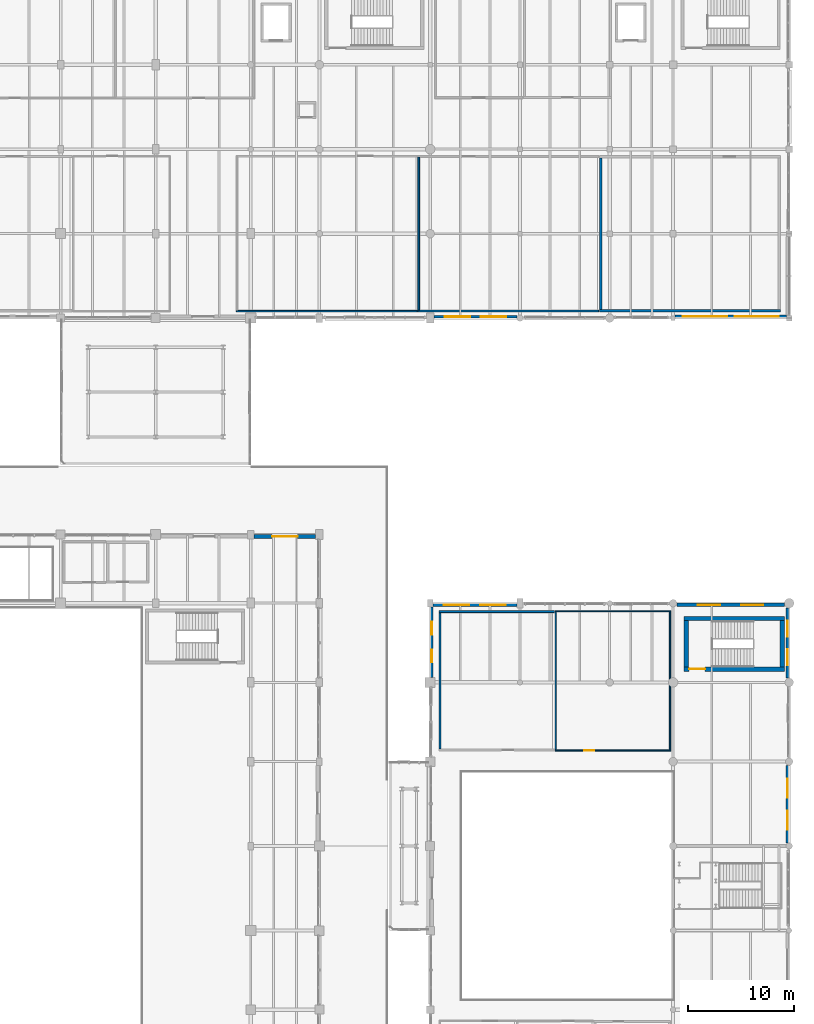
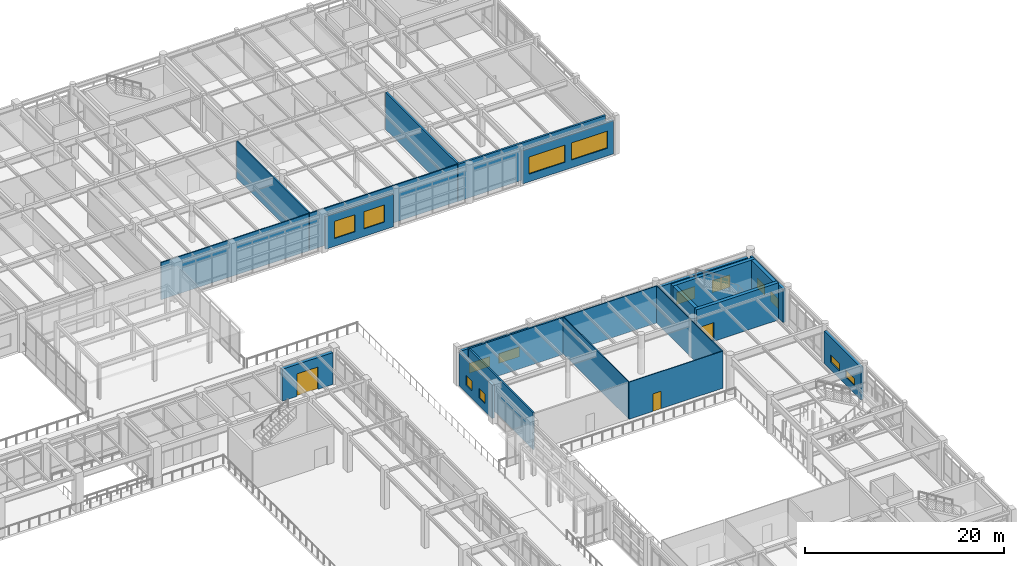
# One storey, part 180 of 200: 23 walls, 14 windows, 3 doors, 17 openings.
"""IFC4 building model written with IfcOpenShell, lengths in metres."""

from ifc_helpers import new_model, si_unit, direction, frame, frame_2d, origin, place, context, subcontext, project, spatial, rectangle, extrude, material, layer, layer_set, type_object, element, fill, save


model = new_model("IFC4")

# Units and contexts
model_context = context("Model", 3, precision=1e-05, world=origin(), true_north=direction((0.0, 1.0)))
body_context = subcontext(model_context, "Body", "Model", "MODEL_VIEW")
ifc_project = project(units=[si_unit("LENGTHUNIT", "METRE"), si_unit("AREAUNIT", "SQUARE_METRE"), si_unit("VOLUMEUNIT", "CUBIC_METRE"), si_unit("PLANEANGLEUNIT", "RADIAN"), si_unit("MASSUNIT", "GRAM", prefix="KILO"), si_unit("THERMODYNAMICTEMPERATUREUNIT", "KELVIN"), si_unit("POWERUNIT", "WATT")], contexts=[model_context])

# Site, building, storey
site_placement = place(None, origin())
site = spatial("IfcSite", under=ifc_project, at=site_placement, CompositionType="ELEMENT")
building_placement = place(site_placement, origin())
building = spatial("IfcBuilding", under=site, at=building_placement, Name="Tepalcoro Natatorium and Aquatics Centre", CompositionType="ELEMENT")
storey_placement = place(building_placement, frame((0.0, 0.0, 5.39990234375)))
storey = spatial("IfcBuildingStorey", under=building, at=storey_placement, Name="L01", CompositionType="ELEMENT", Elevation=5.39990234375)

# Wall, openings, windows
ifc_material_1 = material(Name="Precast Concrete C45/55 (fc 45 MPa)", Category="concrete")
ifc_layer_1 = layer(ifc_material_1, 0.260009765625)
ifc_layer_set_1 = layer_set([ifc_layer_1], Name="Precast Concrete C45/55 (fc 45 MPa)")
wall_type_1 = type_object("IfcWallType", Name="WL_EXT_GABLE_260", PredefinedType="SOLIDWALL", material=ifc_layer_set_1)
wall_1_placement = place(storey_placement, frame((142.35400390625, 86.1298828125, 0.0), z_axis=(0.0, 0.0, 1.0), x_axis=(1.0, 0.0, 0.0)))
wall_1 = element("IfcWall", 1, at=wall_1_placement, inside=storey, type_object=wall_type_1, Name="V5 L01 S Volcanic Basalt Envelope Wall", PredefinedType="SOLIDWALL", context=body_context, shape_type="SweptSolid", body=[
    extrude(rectangle(XDim=7.842041015625, YDim=0.260009765625, at=frame_2d((3.9208984375, 0.0))), origin(), (0.0, 0.0, 1.0), 3.994140625),
])
opening_1_placement = place(wall_1_placement, frame((1.013916015625, 0.0, 0.949951171875)))
opening_1 = element("IfcOpeningElement", 2, at=opening_1_placement, cuts=wall_1, Name="Opening W0089A", PredefinedType="OPENING", context=body_context, shape_type="SweptSolid", body=[
    extrude(rectangle(XDim=2.39990234375, YDim=2.10009765625, at=frame_2d((1.199951171875, 1.050048828125))), frame((0.0, 0.14208984375, 0.0), z_axis=(0.0, -1.0, 0.0), x_axis=(1.0, 0.0, 0.0)), (0.0, 0.0, 1.0), 0.283935546875),
])
opening_2_placement = place(wall_1_placement, frame((4.427978515625, 0.0, 0.949951171875)))
opening_2 = element("IfcOpeningElement", 3, at=opening_2_placement, cuts=wall_1, Name="Opening W0089B", PredefinedType="OPENING", context=body_context, shape_type="SweptSolid", body=[
    extrude(rectangle(XDim=2.39990234375, YDim=2.10009765625, at=frame_2d((1.199951171875, 1.050048828125))), frame((0.0, 0.14208984375, 0.0), z_axis=(0.0, -1.0, 0.0), x_axis=(1.0, 0.0, 0.0)), (0.0, 0.0, 1.0), 0.283935546875),
])
ifc_material_2 = material(Name="Solar-Control Bronze Tempered Low-E Double Glazing", Category="glass")
window_type_1 = type_object("IfcWindowType", Name="WN_240x210", PartitioningType="SINGLE_PANEL", PredefinedType="WINDOW", material=ifc_material_2)
window_1_placement = place(opening_1_placement, origin())
window_1 = element("IfcWindow", 4, at=window_1_placement, inside=storey, type_object=window_type_1, Name="Exterior Thermal Window WN_240x210", OverallHeight=2.10009765625, OverallWidth=2.39990234375, PartitioningType="SINGLE_PANEL", PredefinedType="WINDOW", context=body_context, shape_type="SweptSolid", body=[
    extrude(rectangle(XDim=2.39990234375, YDim=2.10009765625, at=frame_2d((1.199951171875, 1.050048828125))), frame((0.0, 0.030029296875, 0.0), z_axis=(0.0, -1.0, 0.0), x_axis=(1.0, 0.0, 0.0)), (0.0, 0.0, 1.0), 0.06005859375),
])
fill(opening_1, window_1)
window_2_placement = place(opening_2_placement, origin())
window_2 = element("IfcWindow", 5, at=window_2_placement, inside=storey, type_object=window_type_1, Name="Exterior Thermal Window WN_240x210", OverallHeight=2.10009765625, OverallWidth=2.39990234375, PartitioningType="SINGLE_PANEL", PredefinedType="WINDOW", context=body_context, shape_type="SweptSolid", body=[
    extrude(rectangle(XDim=2.39990234375, YDim=2.10009765625, at=frame_2d((1.199951171875, 1.050048828125))), frame((0.0, 0.030029296875, 0.0), z_axis=(0.0, -1.0, 0.0), x_axis=(1.0, 0.0, 0.0)), (0.0, 0.0, 1.0), 0.06005859375),
])
fill(opening_2, window_2)

ifc_layer_2 = layer(ifc_material_1, 0.284912109375)
ifc_layer_set_2 = layer_set([ifc_layer_2], Name="Precast Concrete C45/55 (fc 45 MPa)")
wall_type_2 = type_object("IfcWallType", Name="WL_EXT_INSUL_280", PredefinedType="SOLIDWALL", material=ifc_layer_set_2)
wall_2_placement = place(storey_placement, frame((142.142578125, 51.97900390625, 0.0), z_axis=(0.0, 0.0, 1.0), x_axis=(0.0, 1.0, 0.0)))
wall_2 = element("IfcWall", 6, at=wall_2_placement, inside=storey, type_object=wall_type_2, Name="V2 L01 W Volcanic Basalt Envelope Wall", PredefinedType="SOLIDWALL", context=body_context, shape_type="SweptSolid", body=[
    extrude(rectangle(XDim=6.6669921875, YDim=0.284912109375, at=frame_2d((3.33349609375, 0.0))), origin(), (0.0, 0.0, 1.0), 4.1171875),
])
opening_3_placement = place(wall_2_placement, frame((1.42236328125, 0.0, 0.949951171875)))
opening_3 = element("IfcOpeningElement", 7, at=opening_3_placement, cuts=wall_2, Name="Opening W0031A", PredefinedType="OPENING", context=body_context, shape_type="SweptSolid", body=[
    extrude(rectangle(XDim=1.199951171875, YDim=1.199951171875, at=frame_2d((0.60009765625, 0.60009765625))), frame((0.0, 0.154296875, 0.0), z_axis=(0.0, -1.0, 0.0), x_axis=(1.0, 0.0, 0.0)), (0.0, 0.0, 1.0), 0.308837890625),
])
opening_4_placement = place(wall_2_placement, frame((4.044677734375, 0.0, 0.949951171875)))
opening_4 = element("IfcOpeningElement", 8, at=opening_4_placement, cuts=wall_2, Name="Opening W0031B", PredefinedType="OPENING", context=body_context, shape_type="SweptSolid", body=[
    extrude(rectangle(XDim=1.199951171875, YDim=1.199951171875, at=frame_2d((0.60009765625, 0.60009765625))), frame((0.0, 0.154296875, 0.0), z_axis=(0.0, -1.0, 0.0), x_axis=(1.0, 0.0, 0.0)), (0.0, 0.0, 1.0), 0.308837890625),
])
window_type_2 = type_object("IfcWindowType", Name="WN_120x120", PartitioningType="SINGLE_PANEL", PredefinedType="WINDOW", material=ifc_material_2)
window_3_placement = place(opening_3_placement, origin())
window_3 = element("IfcWindow", 9, at=window_3_placement, inside=storey, type_object=window_type_2, Name="Exterior Thermal Window WN_120x120", OverallHeight=1.199951171875, OverallWidth=1.199951171875, PartitioningType="SINGLE_PANEL", PredefinedType="WINDOW", context=body_context, shape_type="SweptSolid", body=[
    extrude(rectangle(XDim=1.199951171875, YDim=1.199951171875, at=frame_2d((0.60009765625, 0.60009765625))), frame((0.0, 0.030029296875, 0.0), z_axis=(0.0, -1.0, 0.0), x_axis=(1.0, 0.0, 0.0)), (0.0, 0.0, 1.0), 0.06005859375),
])
fill(opening_3, window_3)
window_4_placement = place(opening_4_placement, origin())
window_4 = element("IfcWindow", 10, at=window_4_placement, inside=storey, type_object=window_type_2, Name="Exterior Thermal Window WN_120x120", OverallHeight=1.199951171875, OverallWidth=1.199951171875, PartitioningType="SINGLE_PANEL", PredefinedType="WINDOW", context=body_context, shape_type="SweptSolid", body=[
    extrude(rectangle(XDim=1.199951171875, YDim=1.199951171875, at=frame_2d((0.60009765625, 0.60009765625))), frame((0.0, 0.030029296875, 0.0), z_axis=(0.0, -1.0, 0.0), x_axis=(1.0, 0.0, 0.0)), (0.0, 0.0, 1.0), 0.06005859375),
])
fill(opening_4, window_4)

wall_3_placement = place(storey_placement, frame((165.2041015625, 86.142578125, 0.0), z_axis=(0.0, 0.0, 1.0), x_axis=(1.0, 0.0, 0.0)))
wall_3 = element("IfcWall", 11, at=wall_3_placement, inside=storey, type_object=wall_type_2, Name="V5 L01 S Volcanic Basalt Envelope Wall", PredefinedType="SOLIDWALL", context=body_context, shape_type="SweptSolid", body=[
    extrude(rectangle(XDim=10.5419921875, YDim=0.284912109375, at=frame_2d((5.27099609375, 0.0))), origin(), (0.0, 0.0, 1.0), 4.070068359375),
])
opening_5_placement = place(wall_3_placement, frame((0.714111328125, 0.0, 0.949951171875)))
opening_5 = element("IfcOpeningElement", 12, at=opening_5_placement, cuts=wall_3, Name="Opening W0090A", PredefinedType="OPENING", context=body_context, shape_type="SweptSolid", body=[
    extrude(rectangle(XDim=4.199951171875, YDim=2.10009765625, at=frame_2d((2.10009765625, 1.050048828125))), frame((0.0, 0.154296875, 0.0), z_axis=(0.0, -1.0, 0.0), x_axis=(1.0, 0.0, 0.0)), (0.0, 0.0, 1.0), 0.308837890625),
])
opening_6_placement = place(wall_3_placement, frame((5.6279296875, 0.0, 0.949951171875)))
opening_6 = element("IfcOpeningElement", 13, at=opening_6_placement, cuts=wall_3, Name="Opening W0090B", PredefinedType="OPENING", context=body_context, shape_type="SweptSolid", body=[
    extrude(rectangle(XDim=4.199951171875, YDim=2.10009765625, at=frame_2d((2.10009765625, 1.050048828125))), frame((0.0, 0.154296875, 0.0), z_axis=(0.0, -1.0, 0.0), x_axis=(1.0, 0.0, 0.0)), (0.0, 0.0, 1.0), 0.308837890625),
])
window_type_3 = type_object("IfcWindowType", Name="WN_420x210", PartitioningType="SINGLE_PANEL", PredefinedType="WINDOW", material=ifc_material_2)
window_5_placement = place(opening_5_placement, origin())
window_5 = element("IfcWindow", 14, at=window_5_placement, inside=storey, type_object=window_type_3, Name="Exterior Thermal Window WN_420x210", OverallHeight=2.10009765625, OverallWidth=4.199951171875, PartitioningType="SINGLE_PANEL", PredefinedType="WINDOW", context=body_context, shape_type="SweptSolid", body=[
    extrude(rectangle(XDim=4.199951171875, YDim=2.10009765625, at=frame_2d((2.10009765625, 1.050048828125))), frame((0.0, 0.030029296875, 0.0), z_axis=(0.0, -1.0, 0.0), x_axis=(1.0, 0.0, 0.0)), (0.0, 0.0, 1.0), 0.06005859375),
])
fill(opening_5, window_5)
window_6_placement = place(opening_6_placement, origin())
window_6 = element("IfcWindow", 15, at=window_6_placement, inside=storey, type_object=window_type_3, Name="Exterior Thermal Window WN_420x210", OverallHeight=2.10009765625, OverallWidth=4.199951171875, PartitioningType="SINGLE_PANEL", PredefinedType="WINDOW", context=body_context, shape_type="SweptSolid", body=[
    extrude(rectangle(XDim=4.199951171875, YDim=2.10009765625, at=frame_2d((2.10009765625, 1.050048828125))), frame((0.0, 0.030029296875, 0.0), z_axis=(0.0, -1.0, 0.0), x_axis=(1.0, 0.0, 0.0)), (0.0, 0.0, 1.0), 0.06005859375),
])
fill(opening_6, window_6)

ifc_material_3 = material(Name="Jalisco Cantera Rosa Volcanic Tuff Ashlar Masonry", Category="masonry")
ifc_layer_3 = layer(ifc_material_3, 0.320068359375)
ifc_layer_set_3 = layer_set([ifc_layer_3], Name="Jalisco Cantera Rosa Volcanic Tuff Ashlar Masonry")
wall_type_3 = type_object("IfcWallType", Name="WL_EXT_STONE_320", PredefinedType="SOLIDWALL", material=ifc_layer_set_3)
wall_4_placement = place(storey_placement, frame((165.35400390625, 58.840087890625, 0.0), z_axis=(0.0, 0.0, 1.0), x_axis=(1.0, 0.0, 0.0)))
wall_4 = element("IfcWall", 16, at=wall_4_placement, inside=storey, type_object=wall_type_3, Name="V2 L01 N Volcanic Basalt Envelope Wall", PredefinedType="SOLIDWALL", context=body_context, shape_type="SweptSolid", body=[
    extrude(rectangle(XDim=10.19189453125, YDim=0.320068359375, at=frame_2d((5.095947265625, 0.0))), origin(), (0.0, 0.0, 1.0), 3.918212890625),
])
opening_7_placement = place(wall_4_placement, frame((1.997314453125, 0.0, 0.949951171875)))
opening_7 = element("IfcOpeningElement", 17, at=opening_7_placement, cuts=wall_4, Name="Opening W0029A", PredefinedType="OPENING", context=body_context, shape_type="SweptSolid", body=[
    extrude(rectangle(XDim=2.10009765625, YDim=1.5, at=frame_2d((1.050048828125, 0.75))), frame((0.0, 0.171875, 0.0), z_axis=(0.0, -1.0, 0.0), x_axis=(1.0, 0.0, 0.0)), (0.0, 0.0, 1.0), 0.343994140625),
])
opening_8_placement = place(wall_4_placement, frame((6.0947265625, 0.0, 0.949951171875)))
opening_8 = element("IfcOpeningElement", 18, at=opening_8_placement, cuts=wall_4, Name="Opening W0029B", PredefinedType="OPENING", context=body_context, shape_type="SweptSolid", body=[
    extrude(rectangle(XDim=2.10009765625, YDim=1.5, at=frame_2d((1.050048828125, 0.75))), frame((0.0, 0.171875, 0.0), z_axis=(0.0, -1.0, 0.0), x_axis=(1.0, 0.0, 0.0)), (0.0, 0.0, 1.0), 0.343994140625),
])
window_type_4 = type_object("IfcWindowType", Name="WN_210x150", PartitioningType="SINGLE_PANEL", PredefinedType="WINDOW", material=ifc_material_2)
window_7_placement = place(opening_7_placement, origin())
window_7 = element("IfcWindow", 19, at=window_7_placement, inside=storey, type_object=window_type_4, Name="Exterior Thermal Window WN_210x150", OverallHeight=1.5, OverallWidth=2.10009765625, PartitioningType="SINGLE_PANEL", PredefinedType="WINDOW", context=body_context, shape_type="SweptSolid", body=[
    extrude(rectangle(XDim=2.10009765625, YDim=1.5, at=frame_2d((1.050048828125, 0.75))), frame((0.0, 0.030029296875, 0.0), z_axis=(0.0, -1.0, 0.0), x_axis=(1.0, 0.0, 0.0)), (0.0, 0.0, 1.0), 0.06005859375),
])
fill(opening_7, window_7)
window_8_placement = place(opening_8_placement, origin())
window_8 = element("IfcWindow", 20, at=window_8_placement, inside=storey, type_object=window_type_4, Name="Exterior Thermal Window WN_210x150", OverallHeight=1.5, OverallWidth=2.10009765625, PartitioningType="SINGLE_PANEL", PredefinedType="WINDOW", context=body_context, shape_type="SweptSolid", body=[
    extrude(rectangle(XDim=2.10009765625, YDim=1.5, at=frame_2d((1.050048828125, 0.75))), frame((0.0, 0.030029296875, 0.0), z_axis=(0.0, -1.0, 0.0), x_axis=(1.0, 0.0, 0.0)), (0.0, 0.0, 1.0), 0.06005859375),
])
fill(opening_8, window_8)

# Wall, opening, door
ifc_material_4 = material(Name="Volcanic Recinto Basalt Ashlar Masonry", Category="masonry")
ifc_layer_4 = layer(ifc_material_4, 0.360107421875)
ifc_layer_set_4 = layer_set([ifc_layer_4], Name="Volcanic Recinto Basalt Ashlar Masonry")
wall_type_4 = type_object("IfcWallType", Name="WL_EXT_STONE_350", PredefinedType="SOLIDWALL", material=ifc_layer_set_4)
wall_5_placement = place(storey_placement, frame((125.303955078125, 65.320068359375, 0.0), z_axis=(0.0, 0.0, 1.0), x_axis=(1.0, 0.0, 0.0)))
wall_5 = element("IfcWall", 21, at=wall_5_placement, inside=storey, type_object=wall_type_4, Name="V1 L01 N Volcanic Basalt Envelope Wall", PredefinedType="SOLIDWALL", context=body_context, shape_type="SweptSolid", body=[
    extrude(rectangle(XDim=5.842041015625, YDim=0.360107421875, at=frame_2d((2.9208984375, 0.0))), origin(), (0.0, 0.0, 1.0), 3.9140625),
])
opening_9_placement = place(wall_5_placement, frame((1.7109375, 0.0, 0.0)))
opening_9 = element("IfcOpeningElement", 22, at=opening_9_placement, cuts=wall_5, Name="Opening ED5014", PredefinedType="OPENING", context=body_context, shape_type="SweptSolid", body=[
    extrude(rectangle(XDim=2.419921875, YDim=2.75, at=frame_2d((1.2099609375, 1.375))), frame((0.0, 0.19189453125, 0.0), z_axis=(0.0, -1.0, 0.0), x_axis=(1.0, 0.0, 0.0)), (0.0, 0.0, 1.0), 0.384033203125),
])
ifc_material_5 = material(Name="Bronze-Anodised Extruded Aluminium Alloy EN AW-6063 T6", Category="aluminium")
door_type_1 = type_object("IfcDoorType", Name="DR_260x280_SLIDE", OperationType="NOTDEFINED", PredefinedType="DOOR", material=ifc_material_5)
door_1_placement = place(opening_9_placement, origin())
door_1 = element("IfcDoor", 23, at=door_1_placement, inside=storey, type_object=door_type_1, Name="L01 North Planted Terrace Sliding Door E", OperationType="SLIDING_TO_RIGHT", OverallHeight=2.75, OverallWidth=2.419921875, PredefinedType="DOOR", context=body_context, shape_type="SweptSolid", body=[
    extrude(rectangle(XDim=2.419921875, YDim=2.75, at=frame_2d((1.2099609375, 1.375))), frame((0.0, 0.02490234375, 0.0), z_axis=(0.0, -1.0, 0.0), x_axis=(1.0, 0.0, 0.0)), (0.0, 0.0, 1.0), 0.050048828125),
])
fill(opening_9, door_1)

# Wall, openings, windows
ifc_layer_5 = layer(ifc_material_3, 0.304931640625)
ifc_layer_set_5 = layer_set([ifc_layer_5], Name="Jalisco Cantera Rosa Volcanic Tuff Ashlar Masonry")
wall_type_5 = type_object("IfcWallType", Name="WL_EXT_TERRACOTTA_300", PredefinedType="SOLIDWALL", material=ifc_layer_set_5)
wall_6_placement = place(storey_placement, frame((142.25390625, 58.847412109375, 0.0), z_axis=(0.0, 0.0, 1.0), x_axis=(1.0, 0.0, 0.0)))
wall_6 = element("IfcWall", 24, at=wall_6_placement, inside=storey, type_object=wall_type_5, Name="V2 L01 N Volcanic Basalt Envelope Wall", PredefinedType="SOLIDWALL", context=body_context, shape_type="SweptSolid", body=[
    extrude(rectangle(XDim=7.942138671875, YDim=0.304931640625, at=frame_2d((3.97119140625, 0.0))), origin(), (0.0, 0.0, 1.0), 4.1171875),
])
opening_10_placement = place(wall_6_placement, frame((1.04736328125, 0.0, 0.949951171875)))
opening_10 = element("IfcOpeningElement", 25, at=opening_10_placement, cuts=wall_6, Name="Opening W0028A", PredefinedType="OPENING", context=body_context, shape_type="SweptSolid", body=[
    extrude(rectangle(XDim=2.39990234375, YDim=1.199951171875, at=frame_2d((1.199951171875, 0.60009765625))), frame((0.0, 0.16455078125, 0.0), z_axis=(0.0, -1.0, 0.0), x_axis=(1.0, 0.0, 0.0)), (0.0, 0.0, 1.0), 0.328857421875),
])
opening_11_placement = place(wall_6_placement, frame((4.49462890625, 0.0, 0.949951171875)))
opening_11 = element("IfcOpeningElement", 26, at=opening_11_placement, cuts=wall_6, Name="Opening W0028B", PredefinedType="OPENING", context=body_context, shape_type="SweptSolid", body=[
    extrude(rectangle(XDim=2.39990234375, YDim=1.199951171875, at=frame_2d((1.199951171875, 0.60009765625))), frame((0.0, 0.16455078125, 0.0), z_axis=(0.0, -1.0, 0.0), x_axis=(1.0, 0.0, 0.0)), (0.0, 0.0, 1.0), 0.328857421875),
])
window_type_5 = type_object("IfcWindowType", Name="WN_240x120", PartitioningType="SINGLE_PANEL", PredefinedType="WINDOW", material=ifc_material_2)
window_9_placement = place(opening_10_placement, origin())
window_9 = element("IfcWindow", 27, at=window_9_placement, inside=storey, type_object=window_type_5, Name="Exterior Thermal Window WN_240x120", OverallHeight=1.199951171875, OverallWidth=2.39990234375, PartitioningType="SINGLE_PANEL", PredefinedType="WINDOW", context=body_context, shape_type="SweptSolid", body=[
    extrude(rectangle(XDim=2.39990234375, YDim=1.199951171875, at=frame_2d((1.199951171875, 0.60009765625))), frame((0.0, 0.030029296875, 0.0), z_axis=(0.0, -1.0, 0.0), x_axis=(1.0, 0.0, 0.0)), (0.0, 0.0, 1.0), 0.06005859375),
])
fill(opening_10, window_9)
window_10_placement = place(opening_11_placement, origin())
window_10 = element("IfcWindow", 28, at=window_10_placement, inside=storey, type_object=window_type_5, Name="Exterior Thermal Window WN_240x120", OverallHeight=1.199951171875, OverallWidth=2.39990234375, PartitioningType="SINGLE_PANEL", PredefinedType="WINDOW", context=body_context, shape_type="SweptSolid", body=[
    extrude(rectangle(XDim=2.39990234375, YDim=1.199951171875, at=frame_2d((1.199951171875, 0.60009765625))), frame((0.0, 0.030029296875, 0.0), z_axis=(0.0, -1.0, 0.0), x_axis=(1.0, 0.0, 0.0)), (0.0, 0.0, 1.0), 0.06005859375),
])
fill(opening_11, window_10)

wall_7_placement = place(storey_placement, frame((175.847412109375, 36.303955078125, 0.0), z_axis=(0.0, 0.0, 1.0), x_axis=(0.0, 1.0, 0.0)))
wall_7 = element("IfcWall", 29, at=wall_7_placement, inside=storey, type_object=wall_type_5, Name="V2 L01 E Volcanic Basalt Envelope Wall", PredefinedType="SOLIDWALL", context=body_context, shape_type="SweptSolid", body=[
    extrude(rectangle(XDim=7.342041015625, YDim=0.304931640625, at=frame_2d((3.6708984375, 0.0))), origin(), (0.0, 0.0, 1.0), 3.994140625),
])
opening_12_placement = place(wall_7_placement, frame((1.247314453125, 0.0, 0.949951171875)))
opening_12 = element("IfcOpeningElement", 30, at=opening_12_placement, cuts=wall_7, Name="Opening W0033A", PredefinedType="OPENING", context=body_context, shape_type="SweptSolid", body=[
    extrude(rectangle(XDim=1.800048828125, YDim=0.89990234375, at=frame_2d((0.89990234375, 0.449951171875))), frame((0.0, 0.16455078125, 0.0), z_axis=(0.0, -1.0, 0.0), x_axis=(1.0, 0.0, 0.0)), (0.0, 0.0, 1.0), 0.328857421875),
])
opening_13_placement = place(wall_7_placement, frame((4.294677734375, 0.0, 0.949951171875)))
opening_13 = element("IfcOpeningElement", 31, at=opening_13_placement, cuts=wall_7, Name="Opening W0033B", PredefinedType="OPENING", context=body_context, shape_type="SweptSolid", body=[
    extrude(rectangle(XDim=1.800048828125, YDim=0.89990234375, at=frame_2d((0.89990234375, 0.449951171875))), frame((0.0, 0.16455078125, 0.0), z_axis=(0.0, -1.0, 0.0), x_axis=(1.0, 0.0, 0.0)), (0.0, 0.0, 1.0), 0.328857421875),
])
window_type_6 = type_object("IfcWindowType", Name="WN_180x090_CLER", PartitioningType="SINGLE_PANEL", PredefinedType="WINDOW", material=ifc_material_2)
window_11_placement = place(opening_12_placement, origin())
window_11 = element("IfcWindow", 32, at=window_11_placement, inside=storey, type_object=window_type_6, Name="Exterior Thermal Window WN_180x090_CLER", OverallHeight=0.89990234375, OverallWidth=1.800048828125, PartitioningType="SINGLE_PANEL", PredefinedType="WINDOW", context=body_context, shape_type="SweptSolid", body=[
    extrude(rectangle(XDim=1.800048828125, YDim=0.89990234375, at=frame_2d((0.89990234375, 0.449951171875))), frame((0.0, 0.030029296875, 0.0), z_axis=(0.0, -1.0, 0.0), x_axis=(1.0, 0.0, 0.0)), (0.0, 0.0, 1.0), 0.06005859375),
])
fill(opening_12, window_11)
window_12_placement = place(opening_13_placement, origin())
window_12 = element("IfcWindow", 33, at=window_12_placement, inside=storey, type_object=window_type_6, Name="Exterior Thermal Window WN_180x090_CLER", OverallHeight=0.89990234375, OverallWidth=1.800048828125, PartitioningType="SINGLE_PANEL", PredefinedType="WINDOW", context=body_context, shape_type="SweptSolid", body=[
    extrude(rectangle(XDim=1.800048828125, YDim=0.89990234375, at=frame_2d((0.89990234375, 0.449951171875))), frame((0.0, 0.030029296875, 0.0), z_axis=(0.0, -1.0, 0.0), x_axis=(1.0, 0.0, 0.0)), (0.0, 0.0, 1.0), 0.06005859375),
])
fill(opening_13, window_12)

wall_8_placement = place(storey_placement, frame((175.847412109375, 51.904052734375, 0.0), z_axis=(0.0, 0.0, 1.0), x_axis=(0.0, 1.0, 0.0)))
wall_8 = element("IfcWall", 34, at=wall_8_placement, inside=storey, type_object=wall_type_5, Name="V2 L01 E Volcanic Basalt Envelope Wall", PredefinedType="SOLIDWALL", context=body_context, shape_type="SweptSolid", body=[
    extrude(rectangle(XDim=6.641845703125, YDim=0.304931640625, at=frame_2d((3.32080078125, 0.0))), origin(), (0.0, 0.0, 1.0), 4.1171875),
])
opening_14_placement = place(wall_8_placement, frame((1.214111328125, 0.0, 0.949951171875)))
opening_14 = element("IfcOpeningElement", 35, at=opening_14_placement, cuts=wall_8, Name="Opening W0034A", PredefinedType="OPENING", context=body_context, shape_type="SweptSolid", body=[
    extrude(rectangle(XDim=1.5, YDim=1.199951171875, at=frame_2d((0.75, 0.60009765625))), frame((0.0, 0.16455078125, 0.0), z_axis=(0.0, -1.0, 0.0), x_axis=(1.0, 0.0, 0.0)), (0.0, 0.0, 1.0), 0.328857421875),
])
opening_15_placement = place(wall_8_placement, frame((3.927978515625, 0.0, 0.949951171875)))
opening_15 = element("IfcOpeningElement", 36, at=opening_15_placement, cuts=wall_8, Name="Opening W0034B", PredefinedType="OPENING", context=body_context, shape_type="SweptSolid", body=[
    extrude(rectangle(XDim=1.5, YDim=1.199951171875, at=frame_2d((0.75, 0.60009765625))), frame((0.0, 0.16455078125, 0.0), z_axis=(0.0, -1.0, 0.0), x_axis=(1.0, 0.0, 0.0)), (0.0, 0.0, 1.0), 0.328857421875),
])
window_type_7 = type_object("IfcWindowType", Name="WN_150x120", PartitioningType="SINGLE_PANEL", PredefinedType="WINDOW", material=ifc_material_2)
window_13_placement = place(opening_14_placement, origin())
window_13 = element("IfcWindow", 37, at=window_13_placement, inside=storey, type_object=window_type_7, Name="Exterior Thermal Window WN_150x120", OverallHeight=1.199951171875, OverallWidth=1.5, PartitioningType="SINGLE_PANEL", PredefinedType="WINDOW", context=body_context, shape_type="SweptSolid", body=[
    extrude(rectangle(XDim=1.5, YDim=1.199951171875, at=frame_2d((0.75, 0.60009765625))), frame((0.0, 0.030029296875, 0.0), z_axis=(0.0, -1.0, 0.0), x_axis=(1.0, 0.0, 0.0)), (0.0, 0.0, 1.0), 0.06005859375),
])
fill(opening_14, window_13)
window_14_placement = place(opening_15_placement, origin())
window_14 = element("IfcWindow", 38, at=window_14_placement, inside=storey, type_object=window_type_7, Name="Exterior Thermal Window WN_150x120", OverallHeight=1.199951171875, OverallWidth=1.5, PartitioningType="SINGLE_PANEL", PredefinedType="WINDOW", context=body_context, shape_type="SweptSolid", body=[
    extrude(rectangle(XDim=1.5, YDim=1.199951171875, at=frame_2d((0.75, 0.60009765625))), frame((0.0, 0.030029296875, 0.0), z_axis=(0.0, -1.0, 0.0), x_axis=(1.0, 0.0, 0.0)), (0.0, 0.0, 1.0), 0.06005859375),
])
fill(opening_15, window_14)

# Wall, opening, door
ifc_material_6 = material(Name="Moisture-Resistant Acoustic Gypsum Drywall on Cold-Formed Metal Studs")
ifc_layer_6 = layer(ifc_material_6, 0.10009765625)
ifc_layer_set_6 = layer_set([ifc_layer_6], Name="Moisture-Resistant Acoustic Gypsum Drywall on Cold-Formed Metal Studs")
wall_type_6 = type_object("IfcWallType", Name="WL_PART_100", PredefinedType="PARTITIONING", material=ifc_layer_set_6)
wall_9_placement = place(storey_placement, frame((153.840087890625, 45.050048828125, 0.0), z_axis=(0.0, 0.0, 1.0), x_axis=(1.0, 0.0, 0.0)))
wall_9 = element("IfcWall", 39, at=wall_9_placement, inside=storey, type_object=wall_type_6, Name="Diving Coaches & Physiotherapy Room Partition S", PredefinedType="PARTITIONING", context=body_context, shape_type="SweptSolid", body=[
    extrude(rectangle(XDim=10.919921875, YDim=0.10009765625, at=frame_2d((5.4599609375, 0.0))), origin(), (0.0, 0.0, 1.0), 4.545166015625),
])
opening_16_placement = place(wall_9_placement, frame((2.767578125, 0.0, 0.0)))
opening_16 = element("IfcOpeningElement", 40, at=opening_16_placement, cuts=wall_9, Name="Opening D0129", PredefinedType="OPENING", context=body_context, shape_type="SweptSolid", body=[
    extrude(rectangle(XDim=0.949951171875, YDim=2.14990234375, at=frame_2d((0.47509765625, 1.074951171875))), frame((0.0, 0.06201171875, 0.0), z_axis=(0.0, -1.0, 0.0), x_axis=(1.0, 0.0, 0.0)), (0.0, 0.0, 1.0), 0.1240234375),
])
ifc_material_7 = material(Name="Solid-Core Moisture-Sealed Oak Timber Leaf in Aluminium Frame", Category="wood")
door_type_2 = type_object("IfcDoorType", Name="DR_095x215_OFFICE", OperationType="NOTDEFINED", PredefinedType="DOOR", material=ifc_material_7)
door_2_placement = place(opening_16_placement, origin())
door_2 = element("IfcDoor", 41, at=door_2_placement, inside=storey, type_object=door_type_2, Name="Diving Coaches & Physiotherapy Room Door", OperationType="SINGLE_SWING_RIGHT", OverallHeight=2.14990234375, OverallWidth=0.949951171875, PredefinedType="DOOR", context=body_context, shape_type="SweptSolid", body=[
    extrude(rectangle(XDim=0.949951171875, YDim=2.14990234375, at=frame_2d((0.47509765625, 1.074951171875))), frame((0.0, 0.02490234375, 0.0), z_axis=(0.0, -1.0, 0.0), x_axis=(1.0, 0.0, 0.0)), (0.0, 0.0, 1.0), 0.050048828125),
])
fill(opening_16, door_2)

# Walls
wall_10_placement = place(storey_placement, frame((153.840087890625, 58.25, 0.0), z_axis=(0.0, 0.0, 1.0), x_axis=(1.0, 0.0, 0.0)))
element("IfcWall", 42, at=wall_10_placement, inside=storey, type_object=wall_type_6, Name="Diving Coaches & Physiotherapy Room Partition N", PredefinedType="PARTITIONING", context=body_context, shape_type="SweptSolid", body=[
    extrude(rectangle(XDim=10.919921875, YDim=0.10009765625, at=frame_2d((5.4599609375, 0.0))), origin(), (0.0, 0.0, 1.0), 4.545166015625),
])
for number, where, z_axis, x_axis, name in (
    (43, (164.7099609375, 45.10009765625, 0.0), (0.0, 0.0, 1.0), (0.0, 1.0, 0.0), "Diving Coaches & Physiotherapy Room Partition E"),
    (44, (153.889892578125, 45.10009765625, 0.0), (0.0, 0.0, 1.0), (0.0, 1.0, 0.0), "Diving Coaches & Physiotherapy Room Partition W"),
):
    element("IfcWall", number, at=place(storey_placement, frame(where, z_axis=z_axis, x_axis=x_axis)), inside=storey, type_object=wall_type_6, Name=name, PredefinedType="PARTITIONING", context=body_context, shape_type="SweptSolid", body=[
        extrude(rectangle(XDim=13.099853515625, YDim=0.10009765625, at=frame_2d((6.5498046875, 0.0))), origin(), (0.0, 0.0, 1.0), 4.545166015625),
    ])
ifc_layer_7 = layer(ifc_material_6, 0.125)
ifc_layer_set_7 = layer_set([ifc_layer_7], Name="Moisture-Resistant Acoustic Gypsum Drywall on Cold-Formed Metal Studs")
wall_type_7 = type_object("IfcWallType", Name="WL_PART_125", PredefinedType="PARTITIONING", material=ifc_layer_set_7)
wall_11_placement = place(storey_placement, frame((123.639892578125, 86.66259765625, 0.0), z_axis=(0.0, 0.0, 1.0), x_axis=(1.0, 0.0, 0.0)))
element("IfcWall", 45, at=wall_11_placement, inside=storey, type_object=wall_type_7, Name="Press Conference Auditorium (140 Seats) Partition S", PredefinedType="PARTITIONING", context=body_context, shape_type="SweptSolid", body=[
    extrude(rectangle(XDim=17.1201171875, YDim=0.125, at=frame_2d((8.56005859375, 0.0))), origin(), (0.0, 0.0, 1.0), 4.545166015625),
])
ifc_layer_8 = layer(ifc_material_6, 0.14990234375)
ifc_layer_set_8 = layer_set([ifc_layer_8], Name="Moisture-Resistant Acoustic Gypsum Drywall on Cold-Formed Metal Studs")
wall_type_8 = type_object("IfcWallType", Name="WL_PART_150_AC", PredefinedType="PARTITIONING", material=ifc_layer_set_8)
wall_12_placement = place(storey_placement, frame((140.840087890625, 86.675048828125, 0.0), z_axis=(0.0, 0.0, 1.0), x_axis=(1.0, 0.0, 0.0)))
element("IfcWall", 46, at=wall_12_placement, inside=storey, type_object=wall_type_8, Name="Simultaneous Interpretation Booths & AV Rack Partition S", PredefinedType="PARTITIONING", context=body_context, shape_type="SweptSolid", body=[
    extrude(rectangle(XDim=17.119873046875, YDim=0.14990234375, at=frame_2d((8.56005859375, 0.0))), origin(), (0.0, 0.0, 1.0), 4.545166015625),
])
wall_13_placement = place(storey_placement, frame((140.9150390625, 86.75, 0.0), z_axis=(0.0, 0.0, 1.0), x_axis=(0.0, 1.0, 0.0)))
element("IfcWall", 47, at=wall_13_placement, inside=storey, type_object=wall_type_8, Name="Simultaneous Interpretation Booths & AV Rack Partition W", PredefinedType="PARTITIONING", context=body_context, shape_type="SweptSolid", body=[
    extrude(rectangle(XDim=14.5, YDim=0.14990234375, at=frame_2d((7.25, 0.0))), origin(), (0.0, 0.0, 1.0), 4.545166015625),
])
ifc_layer_9 = layer(ifc_material_6, 0.179931640625)
ifc_layer_set_9 = layer_set([ifc_layer_9], Name="Moisture-Resistant Acoustic Gypsum Drywall on Cold-Formed Metal Studs")
wall_type_9 = type_object("IfcWallType", Name="WL_PART_180_AC", PredefinedType="PARTITIONING", material=ifc_layer_set_9)
wall_14_placement = place(storey_placement, frame((142.840087890625, 58.2099609375, 0.0), z_axis=(0.0, 0.0, 1.0), x_axis=(1.0, 0.0, 0.0)))
element("IfcWall", 48, at=wall_14_placement, inside=storey, type_object=wall_type_9, Name="National Diving Team Video Replay Lounge Partition N", PredefinedType="PARTITIONING", context=body_context, shape_type="SweptSolid", body=[
    extrude(rectangle(XDim=10.919921875, YDim=0.179931640625, at=frame_2d((5.4599609375, 0.0))), origin(), (0.0, 0.0, 1.0), 4.545166015625),
])
wall_15_placement = place(storey_placement, frame((142.929931640625, 45.179931640625, 0.0), z_axis=(0.0, 0.0, 1.0), x_axis=(0.0, 1.0, 0.0)))
element("IfcWall", 49, at=wall_15_placement, inside=storey, type_object=wall_type_9, Name="National Diving Team Video Replay Lounge Partition W", PredefinedType="PARTITIONING", context=body_context, shape_type="SweptSolid", body=[
    extrude(rectangle(XDim=12.940185546875, YDim=0.179931640625, at=frame_2d((6.47021484375, 0.0))), origin(), (0.0, 0.0, 1.0), 4.545166015625),
])
ifc_material_8 = material(Name="Ceramic-Tiled Moisture-Resistant Masonry Blockwork", Category="masonry")
ifc_layer_10 = layer(ifc_material_8, 0.219970703125)
ifc_layer_set_10 = layer_set([ifc_layer_10], Name="Ceramic-Tiled Moisture-Resistant Masonry Blockwork")
wall_type_10 = type_object("IfcWallType", Name="WL_PLUMB_220", PredefinedType="PLUMBINGWALL", material=ifc_layer_set_10)
wall_16_placement = place(storey_placement, frame((158.0400390625, 86.7099609375, 0.0), z_axis=(0.0, 0.0, 1.0), x_axis=(1.0, 0.0, 0.0)))
element("IfcWall", 50, at=wall_16_placement, inside=storey, type_object=wall_type_10, Name="Media Male/Female & Accessible Toilets Partition S", PredefinedType="PLUMBINGWALL", context=body_context, shape_type="SweptSolid", body=[
    extrude(rectangle(XDim=17.119873046875, YDim=0.219970703125, at=frame_2d((8.56005859375, 0.0))), origin(), (0.0, 0.0, 1.0), 4.545166015625),
])
wall_17_placement = place(storey_placement, frame((158.14990234375, 86.820068359375, 0.0), z_axis=(0.0, 0.0, 1.0), x_axis=(0.0, 1.0, 0.0)))
element("IfcWall", 51, at=wall_17_placement, inside=storey, type_object=wall_type_10, Name="Media Male/Female & Accessible Toilets Partition W", PredefinedType="PLUMBINGWALL", context=body_context, shape_type="SweptSolid", body=[
    extrude(rectangle(XDim=14.35986328125, YDim=0.219970703125, at=frame_2d((7.179931640625, 0.0))), origin(), (0.0, 0.0, 1.0), 4.545166015625),
])

# Wall, opening, door
ifc_material_9 = material(Name="Concrete C40/50 (fc 40 MPa)", Category="concrete")
ifc_layer_11 = layer(ifc_material_9, 0.39990234375)
ifc_layer_set_11 = layer_set([ifc_layer_11], Name="Concrete C40/50 (fc 40 MPa)")
wall_type_11 = type_object("IfcWallType", Name="WL_SHEAR_400", PredefinedType="SHEAR", material=ifc_layer_set_11)
wall_18_placement = place(storey_placement, frame((166.050048828125, 52.75, 0.0), z_axis=(0.0, 0.0, 1.0), x_axis=(1.0, 0.0, 0.0)))
wall_18 = element("IfcWall", 52, at=wall_18_placement, inside=storey, type_object=wall_type_11, Name="ST04 Core Shear Wall S L01", PredefinedType="SHEAR", context=body_context, shape_type="SweptSolid", body=[
    extrude(rectangle(XDim=9.5, YDim=0.39990234375, at=frame_2d((4.75, 0.0))), origin(), (0.0, 0.0, 1.0), 4.56005859375),
])
opening_17_placement = place(wall_18_placement, frame((0.47998046875, 0.0, 0.0)))
opening_17 = element("IfcOpeningElement", 53, at=opening_17_placement, cuts=wall_18, Name="Opening D0018", PredefinedType="OPENING", context=body_context, shape_type="SweptSolid", body=[
    extrude(rectangle(XDim=1.5, YDim=2.300048828125, at=frame_2d((0.75, 1.14990234375))), frame((0.0, 0.2119140625, 0.0), z_axis=(0.0, -1.0, 0.0), x_axis=(1.0, 0.0, 0.0)), (0.0, 0.0, 1.0), 0.423828125),
])
ifc_material_10 = material(Name="Galvanised Steel Insulated Acoustic Fire Door Assembly", Category="steel")
door_type_3 = type_object("IfcDoorType", Name="DR_150x230_FD60", OperationType="NOTDEFINED", PredefinedType="DOOR", material=ifc_material_10)
door_3_placement = place(opening_17_placement, origin())
door_3 = element("IfcDoor", 54, at=door_3_placement, inside=storey, type_object=door_type_3, Name="ST04 Fire Stair Door (L01)", OperationType="DOUBLE_DOOR_SINGLE_SWING", OverallHeight=2.300048828125, OverallWidth=1.5, PredefinedType="DOOR", context=body_context, shape_type="SweptSolid", body=[
    extrude(rectangle(XDim=1.5, YDim=2.300048828125, at=frame_2d((0.75, 1.14990234375))), frame((0.0, 0.02490234375, 0.0), z_axis=(0.0, -1.0, 0.0), x_axis=(1.0, 0.0, 0.0)), (0.0, 0.0, 1.0), 0.050048828125),
])
fill(opening_17, door_3)

# Walls
wall_19_placement = place(storey_placement, frame((166.050048828125, 57.550048828125, 0.0), z_axis=(0.0, 0.0, 1.0), x_axis=(1.0, 0.0, 0.0)))
element("IfcWall", 55, at=wall_19_placement, inside=storey, type_object=wall_type_11, Name="ST04 Core Shear Wall N L01", PredefinedType="SHEAR", context=body_context, shape_type="SweptSolid", body=[
    extrude(rectangle(XDim=9.5, YDim=0.39990234375, at=frame_2d((4.75, 0.0))), origin(), (0.0, 0.0, 1.0), 4.56005859375),
])
for number, where, z_axis, x_axis, name in (
    (56, (166.25, 52.949951171875, 0.0), (0.0, 0.0, 1.0), (0.0, 1.0, 0.0), "ST04 Core Shear Wall W L01"),
    (57, (175.35009765625, 52.949951171875, 0.0), (0.0, 0.0, 1.0), (0.0, 1.0, 0.0), "ST04 Core Shear Wall E L01"),
):
    element("IfcWall", number, at=place(storey_placement, frame(where, z_axis=z_axis, x_axis=x_axis)), inside=storey, type_object=wall_type_11, Name=name, PredefinedType="SHEAR", context=body_context, shape_type="SweptSolid", body=[
        extrude(rectangle(XDim=4.400146484375, YDim=0.39990234375, at=frame_2d((2.2001953125, 0.0))), origin(), (0.0, 0.0, 1.0), 4.56005859375),
    ])

save(model, "model.ifc")
